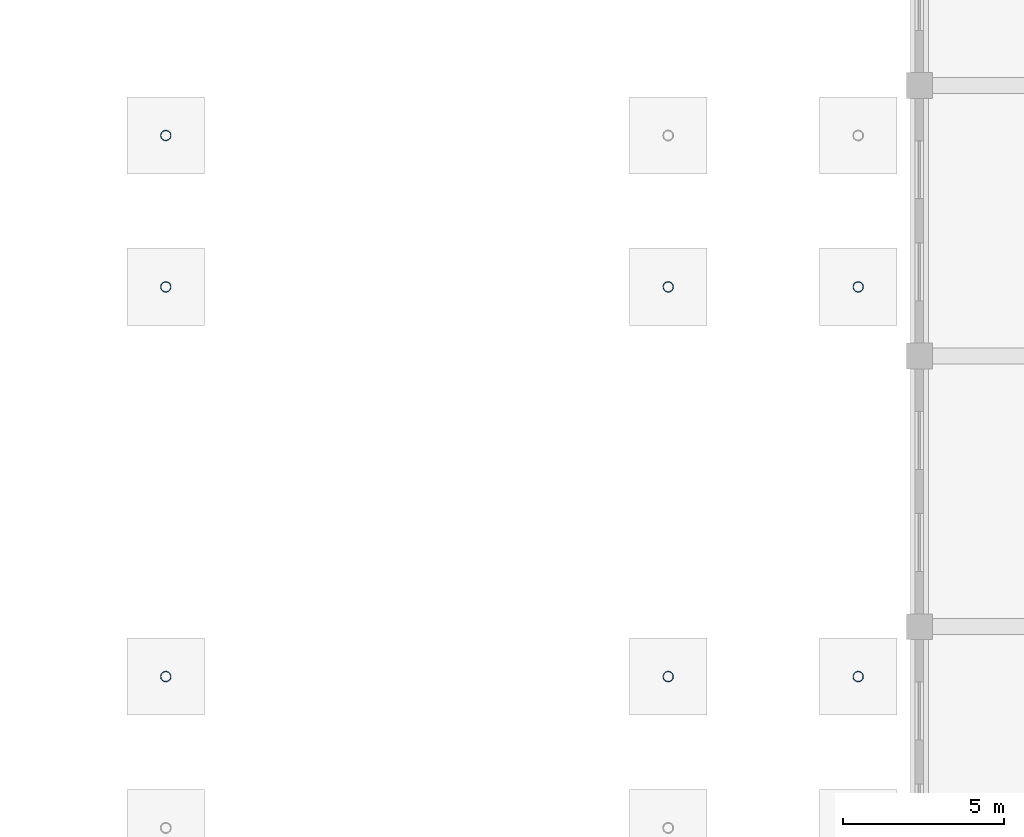
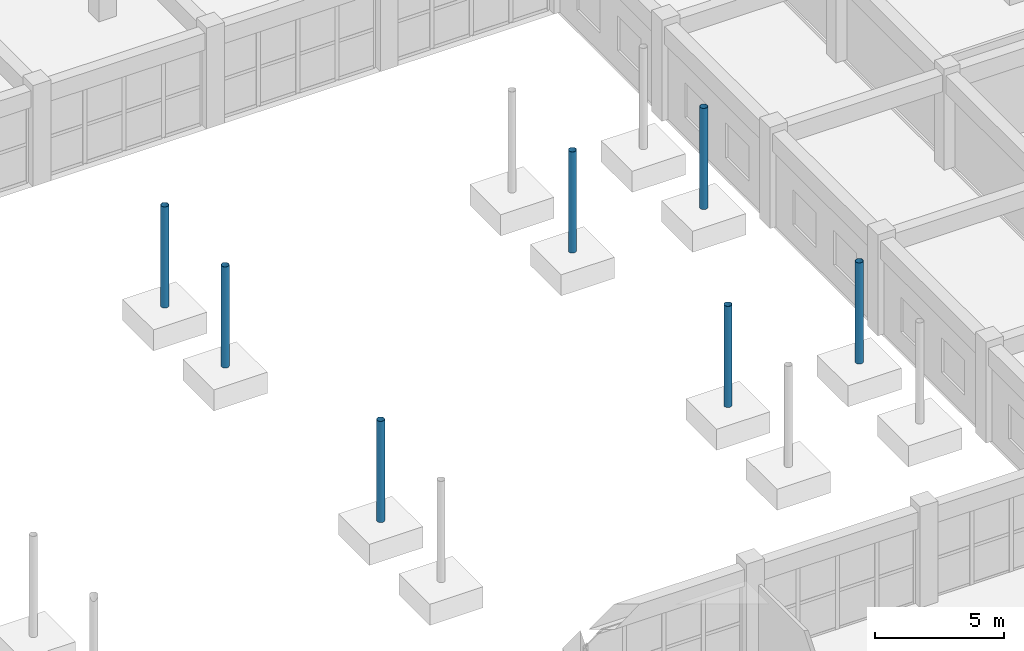
# One storey, part 7 of 139: 7 columns.
"""IFC4 building model written with IfcOpenShell, lengths in metres."""

from ifc_helpers import new_model, si_unit, direction, frame, origin, origin_2d, place, context, subcontext, project, spatial, hollow_circle, extrude, material, material_profile, profile_set, type_object, element, save


model = new_model("IFC4")

# Units and contexts
model_context = context("Model", 3, precision=1e-05, world=origin(), true_north=direction((0.0, 1.0)))
body_context = subcontext(model_context, "Body", "Model", "MODEL_VIEW")
ifc_project = project(units=[si_unit("LENGTHUNIT", "METRE"), si_unit("AREAUNIT", "SQUARE_METRE"), si_unit("VOLUMEUNIT", "CUBIC_METRE"), si_unit("PLANEANGLEUNIT", "RADIAN"), si_unit("MASSUNIT", "GRAM", prefix="KILO")], contexts=[model_context])

# Site, building, storey
site_placement = place(None, origin())
site = spatial("IfcSite", under=ifc_project, at=site_placement, CompositionType="ELEMENT")
building_placement = place(site_placement, origin())
building = spatial("IfcBuilding", under=site, at=building_placement, Name="Zizhar Promenade General Hospital", CompositionType="ELEMENT")
storey_placement = place(building_placement, origin())
storey = spatial("IfcBuildingStorey", under=building, at=storey_placement, Name="L00", CompositionType="ELEMENT", Elevation=0.0)

# Columns
ifc_material = material(Name="Steel S355", Category="steel")
ifc_material_profile = material_profile(ifc_material, hollow_circle(Radius=0.161865234375, WallThickness=0.012451171875, at=origin_2d()))
ifc_profile_set = profile_set([ifc_material_profile], Name="Steel S355")
column_type = type_object("IfcColumnType", Name="COL-STL-CHS324", PredefinedType="COLUMN", material=ifc_profile_set)
for number, where, z_axis, x_axis, name in (
    (1, (101.39990234375, 65.64990234375, 0.0), (0.0, 0.0, 1.0), (1.0, 0.0, 0.0), "SB-1 Courtyard Pier 2N (L00)"),
    (2, (117.0, 65.64990234375, 0.0), (0.0, 0.0, 1.0), (1.0, 0.0, 0.0), "SB-1 Courtyard Pier 3N (L00)"),
    (3, (122.89990234375, 65.64990234375, 0.0), (0.0, 0.0, 1.0), (1.0, 0.0, 0.0), "SB-1 Abutment Pier 2N (L00)"),
    (4, (101.39990234375, 77.75, 0.0), (0.0, 0.0, 1.0), (1.0, 0.0, 0.0), "SB-2 Courtyard Pier 2S (L00)"),
    (5, (101.39990234375, 82.449951171875, 0.0), (0.0, 0.0, 1.0), (1.0, 0.0, 0.0), "SB-2 Courtyard Pier 2N (L00)"),
    (6, (117.0, 77.75, 0.0), (0.0, 0.0, 1.0), (1.0, 0.0, 0.0), "SB-2 Courtyard Pier 3S (L00)"),
    (7, (122.89990234375, 77.75, 0.0), (0.0, 0.0, 1.0), (1.0, 0.0, 0.0), "SB-2 Abutment Pier 2S (L00)"),
):
    element("IfcColumn", number, at=place(storey_placement, frame(where, z_axis=z_axis, x_axis=x_axis)), inside=storey, type_object=column_type, Name=name, PredefinedType="COLUMN", context=body_context, shape_type="SweptSolid", body=[
        extrude(hollow_circle(Radius=0.161865234375, WallThickness=0.012451171875, at=origin_2d()), origin(), (0.0, 0.0, 1.0), 4.800048828125),
    ])

save(model, "model.ifc")
